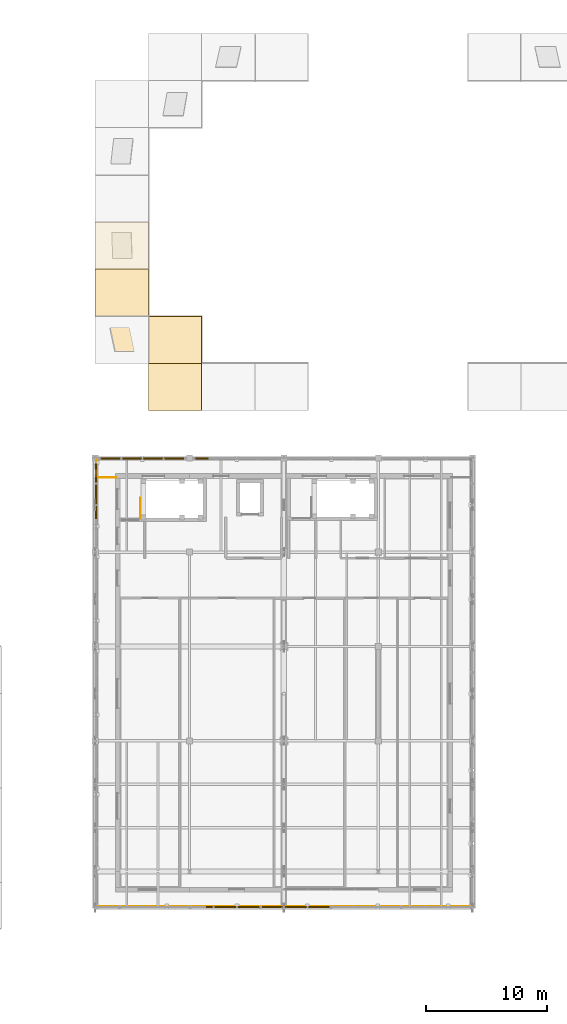
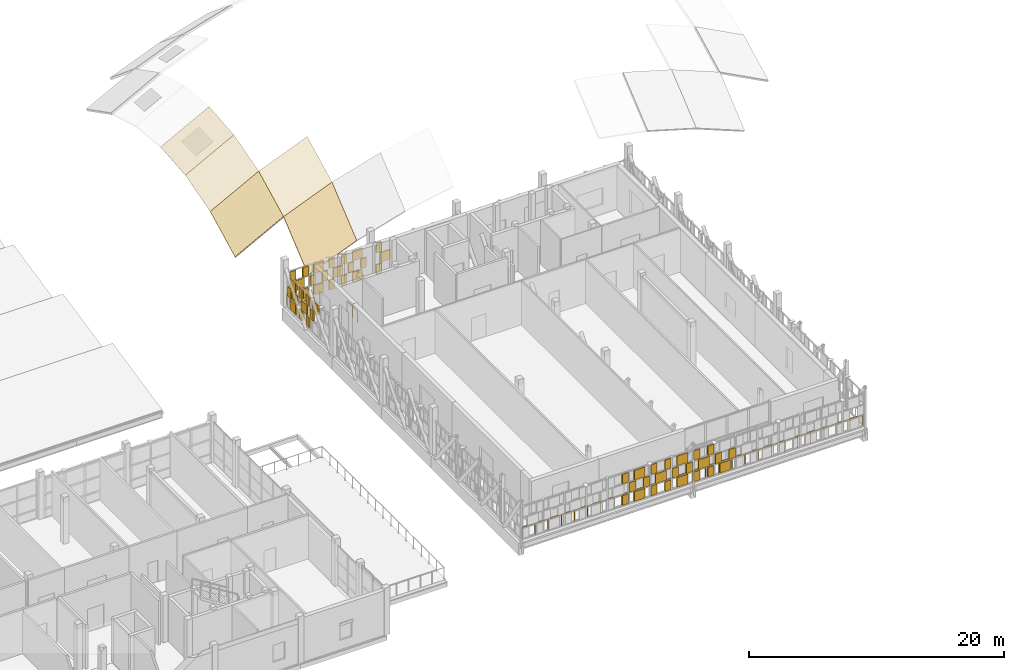
# One storey, part 78 of 89: 60 coverings, 4 railings.
"""IFC4 building model written with IfcOpenShell, lengths in metres."""

from ifc_helpers import new_model, si_unit, direction, frame, origin, origin_2d, place, context, subcontext, project, spatial, polyline, rectangle, circle, outline, extrude, material, layer, layer_set, type_object, element, save


model = new_model("IFC4")

# Units and contexts
model_context = context("Model", 3, precision=1e-05, world=origin(), true_north=direction((0.0, 1.0)))
body_context = subcontext(model_context, "Body", "Model", "MODEL_VIEW")
ifc_project = project(units=[si_unit("LENGTHUNIT", "METRE"), si_unit("AREAUNIT", "SQUARE_METRE"), si_unit("VOLUMEUNIT", "CUBIC_METRE"), si_unit("PLANEANGLEUNIT", "RADIAN"), si_unit("MASSUNIT", "GRAM", prefix="KILO")], contexts=[model_context])

# Site, building, storey
site_placement = place(None, origin())
site = spatial("IfcSite", under=ifc_project, at=site_placement, CompositionType="ELEMENT")
building_placement = place(site_placement, origin())
building = spatial("IfcBuilding", under=site, at=building_placement, Name="Celorna Specialist Clinic", CompositionType="ELEMENT")
storey_placement = place(building_placement, frame((0.0, 0.0, 14.10009765625)))
storey = spatial("IfcBuildingStorey", under=building, at=storey_placement, Name="L03", CompositionType="ELEMENT", Elevation=14.10009765625)

# Railings
ifc_material_1 = material(Name="Stainless steel and laminated glass balustrade", Category="steel")
railing_type_1 = type_object("IfcRailingType", Name="BL-01", PredefinedType="BALUSTRADE", material=ifc_material_1)
railing_1_placement = place(storey_placement, frame((54.719970703125, 41.280029296875, 0.0)))
element("IfcRailing", 1, at=railing_1_placement, inside=storey, type_object=railing_type_1, Name="Research Wing Cantilever Veranda L03 perimeter balustrade 2", PredefinedType="BALUSTRADE", context=body_context, shape_type="SweptSolid", body=[
    extrude(circle(Radius=0.02392578125, at=origin_2d()), frame((0.0, 0.0, 1.09619140625), z_axis=(1.0, 0.0, 0.0), x_axis=(0.0, 1.0, 0.0)), (0.0, 0.0, 1.0), 1.610107421875),
    extrude(circle(Radius=0.02099609375, at=origin_2d()), origin(), (0.0, 0.0, 1.0), 1.072021484375),
    extrude(circle(Radius=0.02099609375, at=origin_2d()), frame((0.80517578125, 0.0, 0.0)), (0.0, 0.0, 1.0), 1.072021484375),
    extrude(circle(Radius=0.02099609375, at=origin_2d()), frame((1.610107421875, 0.0, 0.0)), (0.0, 0.0, 1.0), 1.072021484375),
])
railing_2_placement = place(storey_placement, frame((85.679931640625, 5.820068359375, 0.0)))
element("IfcRailing", 2, at=railing_2_placement, inside=storey, type_object=railing_type_1, Name="Research Wing Cantilever Veranda L03 perimeter balustrade 8", PredefinedType="BALUSTRADE", context=body_context, shape_type="SweptSolid", body=[
    extrude(circle(Radius=0.02392578125, at=origin_2d()), frame((0.0, 0.0, 1.09619140625), z_axis=(-1.0, 0.0, 0.0), x_axis=(0.0, -1.0, 0.0)), (0.0, 0.0, 1.0), 30.9599609375),
    extrude(circle(Radius=0.02099609375, at=origin_2d()), origin(), (0.0, 0.0, 1.0), 1.072021484375),
    extrude(circle(Radius=0.02099609375, at=origin_2d()), frame((-1.190673828125, 0.0, 0.0)), (0.0, 0.0, 1.0), 1.072021484375),
    extrude(circle(Radius=0.02099609375, at=origin_2d()), frame((-2.381591796875, 0.0, 0.0)), (0.0, 0.0, 1.0), 1.072021484375),
    extrude(circle(Radius=0.02099609375, at=origin_2d()), frame((-3.572265625, 0.0, 0.0)), (0.0, 0.0, 1.0), 1.072021484375),
    extrude(circle(Radius=0.02099609375, at=origin_2d()), frame((-4.76318359375, 0.0, 0.0)), (0.0, 0.0, 1.0), 1.072021484375),
    extrude(circle(Radius=0.02099609375, at=origin_2d()), frame((-5.953857421875, 0.0, 0.0)), (0.0, 0.0, 1.0), 1.072021484375),
    extrude(circle(Radius=0.02099609375, at=origin_2d()), frame((-7.14453125, 0.0, 0.0)), (0.0, 0.0, 1.0), 1.072021484375),
    extrude(circle(Radius=0.02099609375, at=origin_2d()), frame((-8.33544921875, 0.0, 0.0)), (0.0, 0.0, 1.0), 1.072021484375),
    extrude(circle(Radius=0.02099609375, at=origin_2d()), frame((-9.526123046875, 0.0, 0.0)), (0.0, 0.0, 1.0), 1.072021484375),
    extrude(circle(Radius=0.02099609375, at=origin_2d()), frame((-10.716796875, 0.0, 0.0)), (0.0, 0.0, 1.0), 1.072021484375),
    extrude(circle(Radius=0.02099609375, at=origin_2d()), frame((-11.90771484375, 0.0, 0.0)), (0.0, 0.0, 1.0), 1.072021484375),
    extrude(circle(Radius=0.02099609375, at=origin_2d()), frame((-13.098388671875, 0.0, 0.0)), (0.0, 0.0, 1.0), 1.072021484375),
    extrude(circle(Radius=0.02099609375, at=origin_2d()), frame((-14.289306640625, 0.0, 0.0)), (0.0, 0.0, 1.0), 1.072021484375),
    extrude(circle(Radius=0.02099609375, at=origin_2d()), frame((-15.47998046875, 0.0, 0.0)), (0.0, 0.0, 1.0), 1.072021484375),
    extrude(circle(Radius=0.02099609375, at=origin_2d()), frame((-16.670654296875, 0.0, 0.0)), (0.0, 0.0, 1.0), 1.072021484375),
    extrude(circle(Radius=0.02099609375, at=origin_2d()), frame((-17.861572265625, 0.0, 0.0)), (0.0, 0.0, 1.0), 1.072021484375),
    extrude(circle(Radius=0.02099609375, at=origin_2d()), frame((-19.05224609375, 0.0, 0.0)), (0.0, 0.0, 1.0), 1.072021484375),
    extrude(circle(Radius=0.02099609375, at=origin_2d()), frame((-20.2431640625, 0.0, 0.0)), (0.0, 0.0, 1.0), 1.072021484375),
    extrude(circle(Radius=0.02099609375, at=origin_2d()), frame((-21.433837890625, 0.0, 0.0)), (0.0, 0.0, 1.0), 1.072021484375),
    extrude(circle(Radius=0.02099609375, at=origin_2d()), frame((-22.62451171875, 0.0, 0.0)), (0.0, 0.0, 1.0), 1.072021484375),
    extrude(circle(Radius=0.02099609375, at=origin_2d()), frame((-23.8154296875, 0.0, 0.0)), (0.0, 0.0, 1.0), 1.072021484375),
    extrude(circle(Radius=0.02099609375, at=origin_2d()), frame((-25.006103515625, 0.0, 0.0)), (0.0, 0.0, 1.0), 1.072021484375),
    extrude(circle(Radius=0.02099609375, at=origin_2d()), frame((-26.19677734375, 0.0, 0.0)), (0.0, 0.0, 1.0), 1.072021484375),
    extrude(circle(Radius=0.02099609375, at=origin_2d()), frame((-27.3876953125, 0.0, 0.0)), (0.0, 0.0, 1.0), 1.072021484375),
    extrude(circle(Radius=0.02099609375, at=origin_2d()), frame((-28.578369140625, 0.0, 0.0)), (0.0, 0.0, 1.0), 1.072021484375),
    extrude(circle(Radius=0.02099609375, at=origin_2d()), frame((-29.769287109375, 0.0, 0.0)), (0.0, 0.0, 1.0), 1.072021484375),
    extrude(circle(Radius=0.02099609375, at=origin_2d()), frame((-30.9599609375, 0.0, 0.0)), (0.0, 0.0, 1.0), 1.072021484375),
])
railing_3_placement = place(storey_placement, frame((54.719970703125, 41.52001953125, 0.0)))
element("IfcRailing", 3, at=railing_3_placement, inside=storey, type_object=railing_type_1, Name="Research Wing North Court Veranda L03 perimeter balustrade 1", PredefinedType="BALUSTRADE", context=body_context, shape_type="SweptSolid", body=[
    extrude(circle(Radius=0.02392578125, at=origin_2d()), frame((0.0, 0.0, 1.09619140625), z_axis=(0.0, 1.0, 0.0), x_axis=(-1.0, 0.0, 0.0)), (0.0, 0.0, 1.0), 1.260009765625),
    extrude(circle(Radius=0.02099609375, at=origin_2d()), origin(), (0.0, 0.0, 1.0), 1.072021484375),
    extrude(circle(Radius=0.02099609375, at=origin_2d()), frame((0.0, 0.6298828125, 0.0)), (0.0, 0.0, 1.0), 1.072021484375),
    extrude(circle(Radius=0.02099609375, at=origin_2d()), frame((0.0, 1.260009765625, 0.0)), (0.0, 0.0, 1.0), 1.072021484375),
])

# Coverings
ifc_material_2 = material(Name="Perforated terracotta brick weave cladding", Category="masonry")
ifc_layer_1 = layer(ifc_material_2, 0.114990234375, Name="Perforated terracotta brick weave cladding")
ifc_layer_set_1 = layer_set([ifc_layer_1], Name="Perforated terracotta brick weave cladding")
covering_type_1 = type_object("IfcCoveringType", Name="CL-02", PredefinedType="CLADDING", material=ifc_layer_set_1)
for number, where, z_axis, x_axis, name in (
    (4, (64.04248046875, 5.77001953125, 0.099853515625), (0.0, 0.0, 1.0), (1.0, 0.0, 0.0), "Woven perforated terracotta brick course #92"),
    (5, (64.04248046875, 5.77001953125, 2.1533203125), (0.0, 0.0, 1.0), (1.0, 0.0, 0.0), "Woven perforated terracotta brick course #95"),
):
    element("IfcCovering", number, at=place(storey_placement, frame(where, z_axis=z_axis, x_axis=x_axis)), inside=storey, type_object=covering_type_1, Name=name, PredefinedType="CLADDING", context=body_context, shape_type="SweptSolid", body=[
        extrude(rectangle(XDim=0.55517578125, YDim=0.114990234375, at=origin_2d()), origin(), (0.0, 0.0, 1.0), 0.9267578125),
    ])
covering_1_placement = place(storey_placement, frame((65.35009765625, 5.77001953125, 0.099853515625), z_axis=(0.0, 0.0, 1.0), x_axis=(1.0, 0.0, 0.0)))
element("IfcCovering", 6, at=covering_1_placement, inside=storey, type_object=covering_type_1, Name="Woven perforated terracotta brick course #96", PredefinedType="CLADDING", context=body_context, shape_type="SweptSolid", body=[
    extrude(rectangle(XDim=0.98291015625, YDim=0.114990234375, at=origin_2d()), origin(), (0.0, 0.0, 1.0), 0.9267578125),
])
for number, where, z_axis, x_axis, name in (
    (7, (64.717529296875, 5.77001953125, 1.12646484375), (0.0, 0.0, 1.0), (1.0, 0.0, 0.0), "Woven perforated terracotta brick course #97"),
    (8, (65.982421875, 5.77001953125, 1.12646484375), (0.0, 0.0, 1.0), (1.0, 0.0, 0.0), "Woven perforated terracotta brick course #98"),
):
    element("IfcCovering", number, at=place(storey_placement, frame(where, z_axis=z_axis, x_axis=x_axis)), inside=storey, type_object=covering_type_1, Name=name, PredefinedType="CLADDING", context=body_context, shape_type="SweptSolid", body=[
        extrude(rectangle(XDim=0.55517578125, YDim=0.114990234375, at=origin_2d()), origin(), (0.0, 0.0, 1.0), 0.926513671875),
    ])
covering_2_placement = place(storey_placement, frame((65.35009765625, 5.77001953125, 2.1533203125), z_axis=(0.0, 0.0, 1.0), x_axis=(1.0, 0.0, 0.0)))
element("IfcCovering", 9, at=covering_2_placement, inside=storey, type_object=covering_type_1, Name="Woven perforated terracotta brick course #99", PredefinedType="CLADDING", context=body_context, shape_type="SweptSolid", body=[
    extrude(rectangle(XDim=0.98291015625, YDim=0.114990234375, at=origin_2d()), origin(), (0.0, 0.0, 1.0), 0.9267578125),
])
for number, where, z_axis, x_axis, name in (
    (10, (66.65771484375, 5.77001953125, 0.099853515625), (0.0, 0.0, 1.0), (1.0, 0.0, 0.0), "Woven perforated terracotta brick course #100"),
    (11, (67.92236328125, 5.77001953125, 0.099853515625), (0.0, 0.0, 1.0), (1.0, 0.0, 0.0), "Woven perforated terracotta brick course #101"),
):
    element("IfcCovering", number, at=place(storey_placement, frame(where, z_axis=z_axis, x_axis=x_axis)), inside=storey, type_object=covering_type_1, Name=name, PredefinedType="CLADDING", context=body_context, shape_type="SweptSolid", body=[
        extrude(rectangle(XDim=0.55517578125, YDim=0.114990234375, at=origin_2d()), origin(), (0.0, 0.0, 1.0), 0.9267578125),
    ])
covering_3_placement = place(storey_placement, frame((67.2900390625, 5.77001953125, 1.12646484375), z_axis=(0.0, 0.0, 1.0), x_axis=(1.0, 0.0, 0.0)))
element("IfcCovering", 12, at=covering_3_placement, inside=storey, type_object=covering_type_1, Name="Woven perforated terracotta brick course #102", PredefinedType="CLADDING", context=body_context, shape_type="SweptSolid", body=[
    extrude(rectangle(XDim=0.98291015625, YDim=0.114990234375, at=origin_2d()), origin(), (0.0, 0.0, 1.0), 0.926513671875),
])
for number, where, z_axis, x_axis, name in (
    (13, (66.65771484375, 5.77001953125, 2.1533203125), (0.0, 0.0, 1.0), (1.0, 0.0, 0.0), "Woven perforated terracotta brick course #103"),
    (14, (67.92236328125, 5.77001953125, 2.1533203125), (0.0, 0.0, 1.0), (1.0, 0.0, 0.0), "Woven perforated terracotta brick course #104"),
):
    element("IfcCovering", number, at=place(storey_placement, frame(where, z_axis=z_axis, x_axis=x_axis)), inside=storey, type_object=covering_type_1, Name=name, PredefinedType="CLADDING", context=body_context, shape_type="SweptSolid", body=[
        extrude(rectangle(XDim=0.55517578125, YDim=0.114990234375, at=origin_2d()), origin(), (0.0, 0.0, 1.0), 0.9267578125),
    ])
covering_4_placement = place(storey_placement, frame((69.22998046875, 5.77001953125, 0.099853515625), z_axis=(0.0, 0.0, 1.0), x_axis=(1.0, 0.0, 0.0)))
element("IfcCovering", 15, at=covering_4_placement, inside=storey, type_object=covering_type_1, Name="Woven perforated terracotta brick course #105", PredefinedType="CLADDING", context=body_context, shape_type="SweptSolid", body=[
    extrude(rectangle(XDim=0.98291015625, YDim=0.114990234375, at=origin_2d()), origin(), (0.0, 0.0, 1.0), 0.9267578125),
])
for number, where, z_axis, x_axis, name in (
    (16, (68.597412109375, 5.77001953125, 1.12646484375), (0.0, 0.0, 1.0), (1.0, 0.0, 0.0), "Woven perforated terracotta brick course #106"),
    (17, (69.8623046875, 5.77001953125, 1.12646484375), (0.0, 0.0, 1.0), (1.0, 0.0, 0.0), "Woven perforated terracotta brick course #107"),
):
    element("IfcCovering", number, at=place(storey_placement, frame(where, z_axis=z_axis, x_axis=x_axis)), inside=storey, type_object=covering_type_1, Name=name, PredefinedType="CLADDING", context=body_context, shape_type="SweptSolid", body=[
        extrude(rectangle(XDim=0.55517578125, YDim=0.114990234375, at=origin_2d()), origin(), (0.0, 0.0, 1.0), 0.926513671875),
    ])
covering_5_placement = place(storey_placement, frame((69.22998046875, 5.77001953125, 2.1533203125), z_axis=(0.0, 0.0, 1.0), x_axis=(1.0, 0.0, 0.0)))
element("IfcCovering", 18, at=covering_5_placement, inside=storey, type_object=covering_type_1, Name="Woven perforated terracotta brick course #108", PredefinedType="CLADDING", context=body_context, shape_type="SweptSolid", body=[
    extrude(rectangle(XDim=0.98291015625, YDim=0.114990234375, at=origin_2d()), origin(), (0.0, 0.0, 1.0), 0.9267578125),
])
for number, where, z_axis, x_axis, name in (
    (19, (70.53759765625, 5.77001953125, 0.099853515625), (0.0, 0.0, 1.0), (1.0, 0.0, 0.0), "Woven perforated terracotta brick course #109"),
    (20, (71.802490234375, 5.77001953125, 0.099853515625), (0.0, 0.0, 1.0), (1.0, 0.0, 0.0), "Woven perforated terracotta brick course #110"),
):
    element("IfcCovering", number, at=place(storey_placement, frame(where, z_axis=z_axis, x_axis=x_axis)), inside=storey, type_object=covering_type_1, Name=name, PredefinedType="CLADDING", context=body_context, shape_type="SweptSolid", body=[
        extrude(rectangle(XDim=0.55517578125, YDim=0.114990234375, at=origin_2d()), origin(), (0.0, 0.0, 1.0), 0.9267578125),
    ])
covering_6_placement = place(storey_placement, frame((71.169921875, 5.77001953125, 1.12646484375), z_axis=(0.0, 0.0, 1.0), x_axis=(1.0, 0.0, 0.0)))
element("IfcCovering", 21, at=covering_6_placement, inside=storey, type_object=covering_type_1, Name="Woven perforated terracotta brick course #111", PredefinedType="CLADDING", context=body_context, shape_type="SweptSolid", body=[
    extrude(rectangle(XDim=0.98291015625, YDim=0.114990234375, at=origin_2d()), origin(), (0.0, 0.0, 1.0), 0.926513671875),
])
for number, where, z_axis, x_axis, name in (
    (22, (70.53759765625, 5.77001953125, 2.1533203125), (0.0, 0.0, 1.0), (1.0, 0.0, 0.0), "Woven perforated terracotta brick course #112"),
    (23, (71.802490234375, 5.77001953125, 2.1533203125), (0.0, 0.0, 1.0), (1.0, 0.0, 0.0), "Woven perforated terracotta brick course #113"),
):
    element("IfcCovering", number, at=place(storey_placement, frame(where, z_axis=z_axis, x_axis=x_axis)), inside=storey, type_object=covering_type_1, Name=name, PredefinedType="CLADDING", context=body_context, shape_type="SweptSolid", body=[
        extrude(rectangle(XDim=0.55517578125, YDim=0.114990234375, at=origin_2d()), origin(), (0.0, 0.0, 1.0), 0.9267578125),
    ])
covering_7_placement = place(storey_placement, frame((73.110107421875, 5.77001953125, 0.099853515625), z_axis=(0.0, 0.0, 1.0), x_axis=(1.0, 0.0, 0.0)))
element("IfcCovering", 24, at=covering_7_placement, inside=storey, type_object=covering_type_1, Name="Woven perforated terracotta brick course #114", PredefinedType="CLADDING", context=body_context, shape_type="SweptSolid", body=[
    extrude(rectangle(XDim=0.98291015625, YDim=0.114990234375, at=origin_2d()), origin(), (0.0, 0.0, 1.0), 0.9267578125),
])
for number, where, z_axis, x_axis, name in (
    (25, (72.4775390625, 5.77001953125, 1.12646484375), (0.0, 0.0, 1.0), (1.0, 0.0, 0.0), "Woven perforated terracotta brick course #115"),
    (26, (73.742431640625, 5.77001953125, 1.12646484375), (0.0, 0.0, 1.0), (1.0, 0.0, 0.0), "Woven perforated terracotta brick course #116"),
):
    element("IfcCovering", number, at=place(storey_placement, frame(where, z_axis=z_axis, x_axis=x_axis)), inside=storey, type_object=covering_type_1, Name=name, PredefinedType="CLADDING", context=body_context, shape_type="SweptSolid", body=[
        extrude(rectangle(XDim=0.55517578125, YDim=0.114990234375, at=origin_2d()), origin(), (0.0, 0.0, 1.0), 0.926513671875),
    ])
covering_8_placement = place(storey_placement, frame((54.669921875, 38.690673828125, 1.12646484375), z_axis=(0.0, 0.0, 1.0), x_axis=(0.0, 1.0, 0.0)))
element("IfcCovering", 27, at=covering_8_placement, inside=storey, type_object=covering_type_1, Name="Woven perforated terracotta brick course #298", PredefinedType="CLADDING", context=body_context, shape_type="SweptSolid", body=[
    extrude(rectangle(XDim=0.498779296875, YDim=0.114990234375, at=origin_2d()), origin(), (0.0, 0.0, 1.0), 0.926513671875),
])
covering_9_placement = place(storey_placement, frame((54.669921875, 38.12255859375, 2.1533203125), z_axis=(0.0, 0.0, 1.0), x_axis=(0.0, 1.0, 0.0)))
element("IfcCovering", 28, at=covering_9_placement, inside=storey, type_object=covering_type_1, Name="Woven perforated terracotta brick course #299", PredefinedType="CLADDING", context=body_context, shape_type="SweptSolid", body=[
    extrude(rectangle(XDim=0.8828125, YDim=0.114990234375, at=origin_2d()), origin(), (0.0, 0.0, 1.0), 0.9267578125),
])
for number, where, z_axis, x_axis, name in (
    (29, (54.669921875, 39.309326171875, 0.099853515625), (0.0, 0.0, 1.0), (0.0, 1.0, 0.0), "Woven perforated terracotta brick course #300"),
    (30, (54.669921875, 40.44580078125, 0.099853515625), (0.0, 0.0, 1.0), (0.0, 1.0, 0.0), "Woven perforated terracotta brick course #301"),
):
    element("IfcCovering", number, at=place(storey_placement, frame(where, z_axis=z_axis, x_axis=x_axis)), inside=storey, type_object=covering_type_1, Name=name, PredefinedType="CLADDING", context=body_context, shape_type="SweptSolid", body=[
        extrude(rectangle(XDim=0.498779296875, YDim=0.114990234375, at=origin_2d()), origin(), (0.0, 0.0, 1.0), 0.9267578125),
    ])
covering_10_placement = place(storey_placement, frame((54.669921875, 39.87744140625, 1.12646484375), z_axis=(0.0, 0.0, 1.0), x_axis=(0.0, 1.0, 0.0)))
element("IfcCovering", 31, at=covering_10_placement, inside=storey, type_object=covering_type_1, Name="Woven perforated terracotta brick course #302", PredefinedType="CLADDING", context=body_context, shape_type="SweptSolid", body=[
    extrude(rectangle(XDim=0.8828125, YDim=0.114990234375, at=origin_2d()), origin(), (0.0, 0.0, 1.0), 0.926513671875),
])
for number, where, z_axis, x_axis, name in (
    (32, (54.669921875, 39.309326171875, 2.1533203125), (0.0, 0.0, 1.0), (0.0, 1.0, 0.0), "Woven perforated terracotta brick course #303"),
    (33, (54.669921875, 40.44580078125, 2.1533203125), (0.0, 0.0, 1.0), (0.0, 1.0, 0.0), "Woven perforated terracotta brick course #304"),
):
    element("IfcCovering", number, at=place(storey_placement, frame(where, z_axis=z_axis, x_axis=x_axis)), inside=storey, type_object=covering_type_1, Name=name, PredefinedType="CLADDING", context=body_context, shape_type="SweptSolid", body=[
        extrude(rectangle(XDim=0.498779296875, YDim=0.114990234375, at=origin_2d()), origin(), (0.0, 0.0, 1.0), 0.9267578125),
    ])
covering_11_placement = place(storey_placement, frame((54.669921875, 41.632568359375, 0.099853515625), z_axis=(0.0, 0.0, 1.0), x_axis=(0.0, 1.0, 0.0)))
element("IfcCovering", 34, at=covering_11_placement, inside=storey, type_object=covering_type_1, Name="Woven perforated terracotta brick course #305", PredefinedType="CLADDING", context=body_context, shape_type="SweptSolid", body=[
    extrude(rectangle(XDim=0.8828125, YDim=0.114990234375, at=origin_2d()), origin(), (0.0, 0.0, 1.0), 0.9267578125),
])
for number, where, z_axis, x_axis, name in (
    (35, (54.669921875, 41.064208984375, 1.12646484375), (0.0, 0.0, 1.0), (0.0, 1.0, 0.0), "Woven perforated terracotta brick course #306"),
    (36, (54.669921875, 42.20068359375, 1.12646484375), (0.0, 0.0, 1.0), (0.0, 1.0, 0.0), "Woven perforated terracotta brick course #307"),
):
    element("IfcCovering", number, at=place(storey_placement, frame(where, z_axis=z_axis, x_axis=x_axis)), inside=storey, type_object=covering_type_1, Name=name, PredefinedType="CLADDING", context=body_context, shape_type="SweptSolid", body=[
        extrude(rectangle(XDim=0.498779296875, YDim=0.114990234375, at=origin_2d()), origin(), (0.0, 0.0, 1.0), 0.926513671875),
    ])
covering_12_placement = place(storey_placement, frame((54.669921875, 41.632568359375, 2.1533203125), z_axis=(0.0, 0.0, 1.0), x_axis=(0.0, 1.0, 0.0)))
element("IfcCovering", 37, at=covering_12_placement, inside=storey, type_object=covering_type_1, Name="Woven perforated terracotta brick course #308", PredefinedType="CLADDING", context=body_context, shape_type="SweptSolid", body=[
    extrude(rectangle(XDim=0.8828125, YDim=0.114990234375, at=origin_2d()), origin(), (0.0, 0.0, 1.0), 0.9267578125),
])
for number, where, z_axis, x_axis, name in (
    (38, (55.29931640625, 42.830078125, 0.099853515625), (0.0, 0.0, 1.0), (1.0, 0.0, 0.0), "Woven perforated terracotta brick course #545"),
    (39, (56.435791015625, 42.830078125, 0.099853515625), (0.0, 0.0, 1.0), (1.0, 0.0, 0.0), "Woven perforated terracotta brick course #546"),
):
    element("IfcCovering", number, at=place(storey_placement, frame(where, z_axis=z_axis, x_axis=x_axis)), inside=storey, type_object=covering_type_1, Name=name, PredefinedType="CLADDING", context=body_context, shape_type="SweptSolid", body=[
        extrude(rectangle(XDim=0.498779296875, YDim=0.114990234375, at=origin_2d()), origin(), (0.0, 0.0, 1.0), 0.9267578125),
    ])
covering_13_placement = place(storey_placement, frame((55.867431640625, 42.830078125, 1.12646484375), z_axis=(0.0, 0.0, 1.0), x_axis=(1.0, 0.0, 0.0)))
element("IfcCovering", 40, at=covering_13_placement, inside=storey, type_object=covering_type_1, Name="Woven perforated terracotta brick course #547", PredefinedType="CLADDING", context=body_context, shape_type="SweptSolid", body=[
    extrude(rectangle(XDim=0.8828125, YDim=0.114990234375, at=origin_2d()), origin(), (0.0, 0.0, 1.0), 0.926513671875),
])
for number, where, z_axis, x_axis, name in (
    (41, (55.29931640625, 42.830078125, 2.1533203125), (0.0, 0.0, 1.0), (1.0, 0.0, 0.0), "Woven perforated terracotta brick course #548"),
    (42, (56.435791015625, 42.830078125, 2.1533203125), (0.0, 0.0, 1.0), (1.0, 0.0, 0.0), "Woven perforated terracotta brick course #549"),
):
    element("IfcCovering", number, at=place(storey_placement, frame(where, z_axis=z_axis, x_axis=x_axis)), inside=storey, type_object=covering_type_1, Name=name, PredefinedType="CLADDING", context=body_context, shape_type="SweptSolid", body=[
        extrude(rectangle(XDim=0.498779296875, YDim=0.114990234375, at=origin_2d()), origin(), (0.0, 0.0, 1.0), 0.9267578125),
    ])
covering_14_placement = place(storey_placement, frame((57.62255859375, 42.830078125, 0.099853515625), z_axis=(0.0, 0.0, 1.0), x_axis=(1.0, 0.0, 0.0)))
element("IfcCovering", 43, at=covering_14_placement, inside=storey, type_object=covering_type_1, Name="Woven perforated terracotta brick course #550", PredefinedType="CLADDING", context=body_context, shape_type="SweptSolid", body=[
    extrude(rectangle(XDim=0.8828125, YDim=0.114990234375, at=origin_2d()), origin(), (0.0, 0.0, 1.0), 0.9267578125),
])
for number, where, z_axis, x_axis, name in (
    (44, (57.05419921875, 42.830078125, 1.12646484375), (0.0, 0.0, 1.0), (1.0, 0.0, 0.0), "Woven perforated terracotta brick course #551"),
    (45, (58.190673828125, 42.830078125, 1.12646484375), (0.0, 0.0, 1.0), (1.0, 0.0, 0.0), "Woven perforated terracotta brick course #552"),
):
    element("IfcCovering", number, at=place(storey_placement, frame(where, z_axis=z_axis, x_axis=x_axis)), inside=storey, type_object=covering_type_1, Name=name, PredefinedType="CLADDING", context=body_context, shape_type="SweptSolid", body=[
        extrude(rectangle(XDim=0.498779296875, YDim=0.114990234375, at=origin_2d()), origin(), (0.0, 0.0, 1.0), 0.926513671875),
    ])
covering_15_placement = place(storey_placement, frame((57.62255859375, 42.830078125, 2.1533203125), z_axis=(0.0, 0.0, 1.0), x_axis=(1.0, 0.0, 0.0)))
element("IfcCovering", 46, at=covering_15_placement, inside=storey, type_object=covering_type_1, Name="Woven perforated terracotta brick course #553", PredefinedType="CLADDING", context=body_context, shape_type="SweptSolid", body=[
    extrude(rectangle(XDim=0.8828125, YDim=0.114990234375, at=origin_2d()), origin(), (0.0, 0.0, 1.0), 0.9267578125),
])
for number, where, z_axis, x_axis, name in (
    (47, (58.809326171875, 42.830078125, 0.099853515625), (0.0, 0.0, 1.0), (1.0, 0.0, 0.0), "Woven perforated terracotta brick course #554"),
    (48, (59.94580078125, 42.830078125, 0.099853515625), (0.0, 0.0, 1.0), (1.0, 0.0, 0.0), "Woven perforated terracotta brick course #555"),
):
    element("IfcCovering", number, at=place(storey_placement, frame(where, z_axis=z_axis, x_axis=x_axis)), inside=storey, type_object=covering_type_1, Name=name, PredefinedType="CLADDING", context=body_context, shape_type="SweptSolid", body=[
        extrude(rectangle(XDim=0.498779296875, YDim=0.114990234375, at=origin_2d()), origin(), (0.0, 0.0, 1.0), 0.9267578125),
    ])
covering_16_placement = place(storey_placement, frame((59.37744140625, 42.830078125, 1.12646484375), z_axis=(0.0, 0.0, 1.0), x_axis=(1.0, 0.0, 0.0)))
element("IfcCovering", 49, at=covering_16_placement, inside=storey, type_object=covering_type_1, Name="Woven perforated terracotta brick course #556", PredefinedType="CLADDING", context=body_context, shape_type="SweptSolid", body=[
    extrude(rectangle(XDim=0.8828125, YDim=0.114990234375, at=origin_2d()), origin(), (0.0, 0.0, 1.0), 0.926513671875),
])
for number, where, z_axis, x_axis, name in (
    (50, (58.809326171875, 42.830078125, 2.1533203125), (0.0, 0.0, 1.0), (1.0, 0.0, 0.0), "Woven perforated terracotta brick course #557"),
    (51, (59.94580078125, 42.830078125, 2.1533203125), (0.0, 0.0, 1.0), (1.0, 0.0, 0.0), "Woven perforated terracotta brick course #558"),
):
    element("IfcCovering", number, at=place(storey_placement, frame(where, z_axis=z_axis, x_axis=x_axis)), inside=storey, type_object=covering_type_1, Name=name, PredefinedType="CLADDING", context=body_context, shape_type="SweptSolid", body=[
        extrude(rectangle(XDim=0.498779296875, YDim=0.114990234375, at=origin_2d()), origin(), (0.0, 0.0, 1.0), 0.9267578125),
    ])
covering_17_placement = place(storey_placement, frame((61.132568359375, 42.830078125, 0.099853515625), z_axis=(0.0, 0.0, 1.0), x_axis=(1.0, 0.0, 0.0)))
element("IfcCovering", 52, at=covering_17_placement, inside=storey, type_object=covering_type_1, Name="Woven perforated terracotta brick course #559", PredefinedType="CLADDING", context=body_context, shape_type="SweptSolid", body=[
    extrude(rectangle(XDim=0.8828125, YDim=0.114990234375, at=origin_2d()), origin(), (0.0, 0.0, 1.0), 0.9267578125),
])
for number, where, z_axis, x_axis, name in (
    (53, (60.564208984375, 42.830078125, 1.12646484375), (0.0, 0.0, 1.0), (1.0, 0.0, 0.0), "Woven perforated terracotta brick course #560"),
    (54, (61.70068359375, 42.830078125, 1.12646484375), (0.0, 0.0, 1.0), (1.0, 0.0, 0.0), "Woven perforated terracotta brick course #561"),
):
    element("IfcCovering", number, at=place(storey_placement, frame(where, z_axis=z_axis, x_axis=x_axis)), inside=storey, type_object=covering_type_1, Name=name, PredefinedType="CLADDING", context=body_context, shape_type="SweptSolid", body=[
        extrude(rectangle(XDim=0.498779296875, YDim=0.114990234375, at=origin_2d()), origin(), (0.0, 0.0, 1.0), 0.926513671875),
    ])
covering_18_placement = place(storey_placement, frame((61.132568359375, 42.830078125, 2.1533203125), z_axis=(0.0, 0.0, 1.0), x_axis=(1.0, 0.0, 0.0)))
element("IfcCovering", 55, at=covering_18_placement, inside=storey, type_object=covering_type_1, Name="Woven perforated terracotta brick course #562", PredefinedType="CLADDING", context=body_context, shape_type="SweptSolid", body=[
    extrude(rectangle(XDim=0.8828125, YDim=0.114990234375, at=origin_2d()), origin(), (0.0, 0.0, 1.0), 0.9267578125),
])
covering_19_placement = place(storey_placement, frame((63.099365234375, 42.830078125, 0.099853515625), z_axis=(0.0, 0.0, 1.0), x_axis=(1.0, 0.0, 0.0)))
element("IfcCovering", 56, at=covering_19_placement, inside=storey, type_object=covering_type_1, Name="Woven perforated terracotta brick course #563", PredefinedType="CLADDING", context=body_context, shape_type="SweptSolid", body=[
    extrude(rectangle(XDim=0.498779296875, YDim=0.114990234375, at=origin_2d()), origin(), (0.0, 0.0, 1.0), 0.9267578125),
])
covering_20_placement = place(storey_placement, frame((63.66748046875, 42.830078125, 1.12646484375), z_axis=(0.0, 0.0, 1.0), x_axis=(1.0, 0.0, 0.0)))
element("IfcCovering", 57, at=covering_20_placement, inside=storey, type_object=covering_type_1, Name="Woven perforated terracotta brick course #565", PredefinedType="CLADDING", context=body_context, shape_type="SweptSolid", body=[
    extrude(rectangle(XDim=0.8828125, YDim=0.114990234375, at=origin_2d()), origin(), (0.0, 0.0, 1.0), 0.926513671875),
])
covering_21_placement = place(storey_placement, frame((63.099365234375, 42.830078125, 2.1533203125), z_axis=(0.0, 0.0, 1.0), x_axis=(1.0, 0.0, 0.0)))
element("IfcCovering", 58, at=covering_21_placement, inside=storey, type_object=covering_type_1, Name="Woven perforated terracotta brick course #566", PredefinedType="CLADDING", context=body_context, shape_type="SweptSolid", body=[
    extrude(rectangle(XDim=0.498779296875, YDim=0.114990234375, at=origin_2d()), origin(), (0.0, 0.0, 1.0), 0.9267578125),
])

# Railing
ifc_material_3 = material(Name="Powder-coated steel S355", Category="steel")
railing_type_2 = type_object("IfcRailingType", Name="GR-01", PredefinedType="GUARDRAIL", material=ifc_material_3)
railing_4_placement = place(storey_placement, frame((58.35009765625, 37.919921875, 0.0)))
element("IfcRailing", 59, at=railing_4_placement, inside=storey, type_object=railing_type_2, Name="L03 ST-08 top well guard 1", PredefinedType="GUARDRAIL", context=body_context, shape_type="SweptSolid", body=[
    extrude(circle(Radius=0.02392578125, at=origin_2d()), frame((0.0, 0.0, 1.09619140625), z_axis=(0.0, 1.0, 0.0), x_axis=(-1.0, 0.0, 0.0)), (0.0, 0.0, 1.0), 1.650146484375),
    extrude(circle(Radius=0.02099609375, at=origin_2d()), origin(), (0.0, 0.0, 1.0), 1.072021484375),
    extrude(circle(Radius=0.02099609375, at=origin_2d()), frame((0.0, 0.8251953125, 0.0)), (0.0, 0.0, 1.0), 1.072021484375),
    extrude(circle(Radius=0.02099609375, at=origin_2d()), frame((0.0, 1.650146484375, 0.0)), (0.0, 0.0, 1.0), 1.072021484375),
])

# Coverings
ifc_material_4 = material(Name="Standing-seam zinc and EPDM acoustic roofing membrane")
ifc_layer_2 = layer(ifc_material_4, 0.0400390625, Name="Standing-seam zinc and EPDM acoustic roofing membrane")
ifc_layer_set_2 = layer_set([ifc_layer_2], Name="Standing-seam zinc and EPDM acoustic roofing membrane")
covering_type_2 = type_object("IfcCoveringType", Name="RFG-01", PredefinedType="ROOFING", material=ifc_layer_set_2)
covering_22_placement = place(storey_placement, frame((54.60009765625, 50.699951171875, -0.127197265625), z_axis=(-0.426272998469, -0.412350212297, 0.805145100708), x_axis=(0.883780693912, -8.140593e-06, 0.46790136247)))
element("IfcCovering", 60, at=covering_22_placement, inside=storey, type_object=covering_type_2, Name="GSH-V1 gridshell standing-seam roofing 1-2", PredefinedType="ROOFING", context=body_context, shape_type="SweptSolid", body=[
    extrude(outline(polyline([(0.0, 0.0), (4.978452774662409, 0.0), (5.913081412787294, 4.281104090557034), (0.934514404393814, 4.281015118236019), (0.0, 0.0)])), origin(), (0.0, 0.0, -1.0), 0.0400390625),
])
covering_23_placement = place(storey_placement, frame((54.60009765625, 54.60009765625, 1.8701171875), z_axis=(-0.453832645011, -0.243559911763, 0.857154886648), x_axis=(0.883768830423, 0.0, 0.467923769831)))
element("IfcCovering", 61, at=covering_23_placement, inside=storey, type_object=covering_type_2, Name="GSH-V1 gridshell standing-seam roofing 1-3", PredefinedType="ROOFING", context=body_context, shape_type="SweptSolid", body=[
    extrude(outline(polyline([(0.0, 0.0), (4.978567010158636, 0.0), (5.497098746306879, 4.02099105632882), (0.5185317361482426, 4.020991056328819), (0.0, 0.0)])), origin(), (0.0, 0.0, -1.0), 0.0400390625),
])
covering_24_placement = place(storey_placement, frame((54.60009765625, 58.5, 2.978271484375), z_axis=(-0.466384526249, -0.080541246159, 0.880907816597), x_axis=(0.883778904127, 1.73962e-06, 0.467904743102)))
element("IfcCovering", 62, at=covering_24_placement, inside=storey, type_object=covering_type_2, Name="GSH-V1 gridshell standing-seam roofing 1-4", PredefinedType="ROOFING", context=body_context, shape_type="SweptSolid", body=[
    extrude(outline(polyline([(0.0, 0.0), (4.978567008997329, -2.7755575615628914e-17), (5.145356245722459, 3.912604361616357), (0.16690347128155078, 3.9126217395076983), (0.0, 0.0)])), origin(), (0.0, 0.0, -1.0), 0.0400390625),
])
covering_25_placement = place(storey_placement, frame((59.0, 46.800048828125, -1.04052734375), z_axis=(-0.296381901334, -0.610628916295, 0.734363734907), x_axis=(0.927327602981, -1.1536961e-05, 0.374250606702)))
element("IfcCovering", 63, at=covering_25_placement, inside=storey, type_object=covering_type_2, Name="GSH-V1 gridshell standing-seam roofing 2-1", PredefinedType="ROOFING", context=body_context, shape_type="SweptSolid", body=[
    extrude(outline(polyline([(0.0, 0.0), (4.744683282095533, 0.0), (5.958303037324385, 4.924722834044847), (1.2135283854518253, 4.924584587836691), (0.0, 0.0)])), origin(), (0.0, 0.0, -1.0), 0.0400390625),
])
covering_26_placement = place(storey_placement, frame((59.0, 50.699951171875, 2.2021484375), z_axis=(-0.338086403658, -0.429018482791, 0.837639973428), x_axis=(0.927315344547, 0.0, 0.374280979704)))
element("IfcCovering", 64, at=covering_26_placement, inside=storey, type_object=covering_type_2, Name="GSH-V1 gridshell standing-seam roofing 2-2", PredefinedType="ROOFING", context=body_context, shape_type="SweptSolid", body=[
    extrude(outline(polyline([(0.0, 0.0), (4.744774654733399, 0.0), (5.492422842218998, 4.317685157905408), (0.7476481874855999, 4.317685157905408), (0.0, 0.0)])), origin(), (0.0, 0.0, -1.0), 0.0400390625),
])

save(model, "model.ifc")
